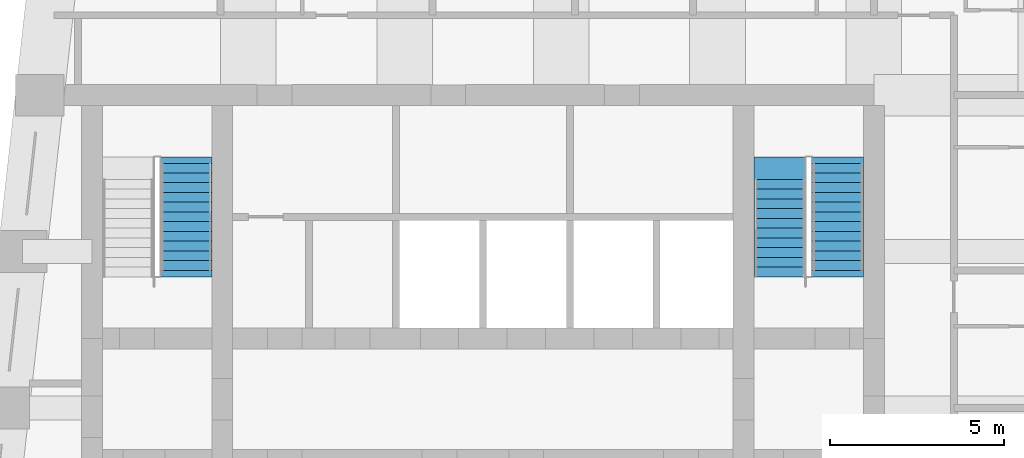
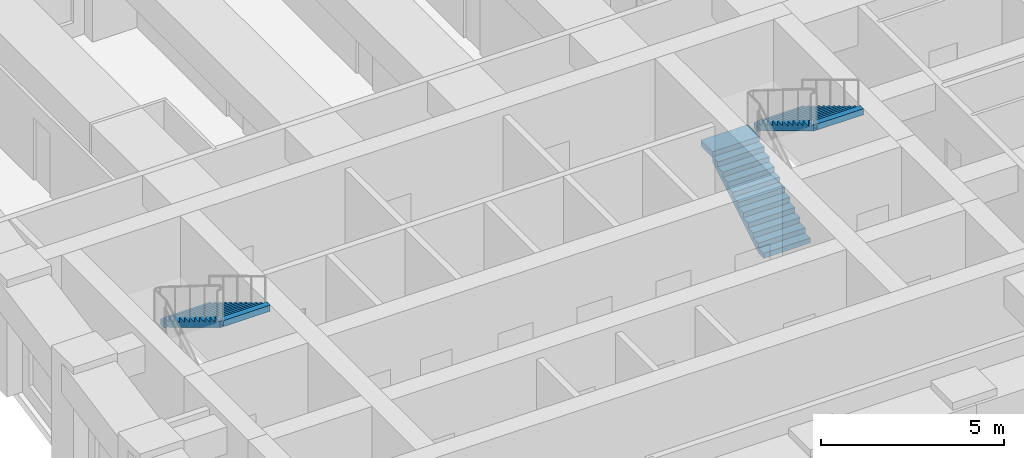
# One storey, part 6 of 7: 3 stair flights, 2 elements without a shape of their own.
"""IFC4 building model written with IfcOpenShell, lengths in metres."""

import ifcopenshell
import ifcopenshell.guid

model = None  # the IFC model being written
_history = None  # IfcOwnerHistory: only IFC2X3 demands one
_inside = {}  # id of a spatial element -> (the spatial element, [elements in it])
_under = {}  # id of a project, library or spatial element -> (it, [spatial elements below it])
_declared = {}  # id of a project -> (the project, [libraries it declares])
_typed = {}  # id of a type object -> (the type object, [elements of that type])
_made_of = {}  # id of a material, layer set ... -> (it, [elements and type objects made of it])


def new_model(schema):
    """Start an empty IFC model of exactly this schema.

    Asked for "IFC4X3", IfcOpenShell would pick the latest addendum, in which some entities
    have other attributes; the version numbers below select the first issue.
    IFC2X3 requires an IfcOwnerHistory on every rooted entity: one is made here for all.
    """
    global model, _history
    if schema == "IFC4X3":
        model = ifcopenshell.file(schema_version=(4, 3, 0, 0))
    else:
        model = ifcopenshell.file(schema=schema)
    _inside.clear()
    _under.clear()
    _declared.clear()
    _typed.clear()
    _made_of.clear()
    _history = None
    if model.schema == "IFC2X3":
        org = make("IfcOrganization", Name="unknown")
        user = make(
            "IfcPersonAndOrganization",
            ThePerson=make("IfcPerson", FamilyName="unknown"),
            TheOrganization=org,
        )
        app = make(
            "IfcApplication",
            ApplicationDeveloper=org,
            Version="unknown",
            ApplicationFullName="unknown",
            ApplicationIdentifier="unknown",
        )
        _history = make(
            "IfcOwnerHistory",
            OwningUser=user,
            OwningApplication=app,
            ChangeAction="ADDED",
            CreationDate=0,
        )
    return model


def make(cls, **values):
    """One entity of the class cls with the attributes given. An attribute that is None is left unset."""
    return model.create_entity(
        cls, **{name: value for name, value in values.items() if value is not None}
    )


def rooted(cls, **values):
    """An entity with a GlobalId (a new one), such as an element, a storey or a relation."""
    return make(cls, GlobalId=ifcopenshell.guid.new(), OwnerHistory=_history, **values)


def si_unit(unit_type, name, prefix=None):
    """IfcSIUnit, for example si_unit("LENGTHUNIT", "METRE", prefix="MILLI")."""
    return make("IfcSIUnit", UnitType=unit_type, Prefix=prefix, Name=name)


def assignment(units):
    """IfcUnitAssignment: the units of a project."""
    return None if units is None else make("IfcUnitAssignment", Units=units)


def point(xyz):
    """IfcCartesianPoint."""
    return None if xyz is None else make("IfcCartesianPoint", Coordinates=xyz)


def direction(xyz):
    """IfcDirection."""
    return None if xyz is None else make("IfcDirection", DirectionRatios=xyz)


def frame(location, z_axis=None, x_axis=None):
    """IfcAxis2Placement3D, a coordinate frame: its origin and axes. An axis left out is left unset."""
    return make(
        "IfcAxis2Placement3D",
        Location=point(location),
        Axis=direction(z_axis),
        RefDirection=direction(x_axis),
    )


def origin():
    """The frame at (0, 0, 0) with its axes left unset."""
    return frame((0.0, 0.0, 0.0))


def place(relative_to, where):
    """IfcLocalPlacement: puts the frame where relative to a parent placement (None: the world)."""
    return make(
        "IfcLocalPlacement", PlacementRelTo=relative_to, RelativePlacement=where
    )


def context(
    kind, dimensions, precision=None, world=None, true_north=None, identifier=None
):
    """IfcGeometricRepresentationContext, for example the 3D "Model" context."""
    return make(
        "IfcGeometricRepresentationContext",
        ContextIdentifier=identifier,
        ContextType=kind,
        CoordinateSpaceDimension=dimensions,
        Precision=precision,
        WorldCoordinateSystem=world,
        TrueNorth=true_north,
    )


def subcontext(parent, identifier, kind, view, scale=None):
    """IfcGeometricRepresentationSubContext, for example "Body" below "Model"."""
    return make(
        "IfcGeometricRepresentationSubContext",
        ContextIdentifier=identifier,
        ContextType=kind,
        ParentContext=parent,
        TargetScale=scale,
        TargetView=view,
    )


def project(units=None, contexts=None):
    """IfcProject with its units and contexts."""
    return rooted(
        "IfcProject",
        Name="project",
        RepresentationContexts=contexts,
        UnitsInContext=assignment(units),
    )


def spatial(cls, under=None, at=None, **own):
    """A site, building, storey or space (cls), placed at a placement, below another one or the project."""
    s = rooted(cls, ObjectPlacement=at, **own)
    if under is not None:
        _under.setdefault(under.id(), (under, []))[1].append(s)
    return s


def polyline(points):
    """IfcPolyline through the points."""
    return make("IfcPolyline", Points=[point(p) for p in points])


def outline(outer, holes=None, kind="AREA"):
    """IfcArbitraryClosedProfileDef: a profile drawn as a closed curve; with holes, ...WithVoids."""
    if holes is None:
        return make("IfcArbitraryClosedProfileDef", ProfileType=kind, OuterCurve=outer)
    return make(
        "IfcArbitraryProfileDefWithVoids",
        ProfileType=kind,
        OuterCurve=outer,
        InnerCurves=holes,
    )


def extrude(swept, where, along, depth):
    """IfcExtrudedAreaSolid: the profile swept, set in the frame where, extruded along a direction by depth."""
    return make(
        "IfcExtrudedAreaSolid",
        SweptArea=swept,
        Position=where,
        ExtrudedDirection=direction(along),
        Depth=depth,
    )


def shape(context_of_items, identifier, shape_type, items):
    """IfcShapeRepresentation: the items that make up one representation, for example the "Body"."""
    return make(
        "IfcShapeRepresentation",
        ContextOfItems=context_of_items,
        RepresentationIdentifier=identifier,
        RepresentationType=shape_type,
        Items=items,
    )


def material(Name=None, Category=None):
    """IfcMaterial."""
    return make("IfcMaterial", Name=Name, Category=Category)


def made_of(thing, what):
    """Note that an element or type object is made of a material, layer set ...; save() writes the relation."""
    if what is not None:
        _made_of.setdefault(what.id(), (what, []))[1].append(thing)
    return thing


def type_object(cls, material=None, **own):
    """A type object (cls), such as IfcWallType, which elements share."""
    return made_of(rooted(cls, **own), material)


def element(
    cls,
    number,
    at=None,
    inside=None,
    cuts=None,
    type_object=None,
    material=None,
    context=None,
    identifier="Body",
    shape_type=None,
    held_by="IfcProductDefinitionShape",
    body=None,
    shapes=None,
    **own,
):
    """One element of the class cls, such as IfcWall. Its Tag is "e" and its number.

    at: its placement. inside: the storey or other place that contains it. cuts: it is an
    opening in that element (IfcRelVoidsElement). A single representation is given by context,
    identifier, shape_type and body (its items); several are given by shapes. held_by: the class
    of the entity that holds the representations. save() writes the other relations.
    """
    e = rooted(cls, Tag="e%d" % number, ObjectPlacement=at, **own)
    if body is not None:
        shapes = [shape(context, identifier, shape_type, body)]
    if shapes is not None:
        e.Representation = make(held_by, Representations=shapes)
    if inside is not None:
        _inside.setdefault(inside.id(), (inside, []))[1].append(e)
    if cuts is not None:
        rooted(
            "IfcRelVoidsElement", RelatingBuildingElement=cuts, RelatedOpeningElement=e
        )
    if type_object is not None:
        _typed.setdefault(type_object.id(), (type_object, []))[1].append(e)
    return made_of(e, material)


def aggregate(whole, parts):
    """IfcRelAggregates: a whole, such as a stair, and the parts it consists of."""
    return rooted("IfcRelAggregates", RelatingObject=whole, RelatedObjects=parts)


def save(model, path):
    """Write the relations noted so far, then the file.

    IfcRelAggregates (storeys below a building ...), IfcRelContainedInSpatialStructure (elements
    in a storey), IfcRelDefinesByType, IfcRelAssociatesMaterial and IfcRelDeclares: one each for
    every whole, place, type object, material and project.
    """
    for whole, parts in _under.values():
        aggregate(whole, parts)
    for where, things in _inside.values():
        rooted(
            "IfcRelContainedInSpatialStructure",
            RelatedElements=things,
            RelatingStructure=where,
        )
    for kind, things in _typed.values():
        rooted("IfcRelDefinesByType", RelatedObjects=things, RelatingType=kind)
    for what, things in _made_of.values():
        rooted("IfcRelAssociatesMaterial", RelatedObjects=things, RelatingMaterial=what)
    for by, libraries in _declared.values():
        rooted("IfcRelDeclares", RelatingContext=by, RelatedDefinitions=libraries)
    model.write(path)


model = new_model("IFC4")

# Units and contexts
model_context = context("Model", 3, precision=1e-05, world=origin(), true_north=direction((0.0, 1.0)))
body_context = subcontext(model_context, "Body", "Model", "MODEL_VIEW")
ifc_project = project(units=[si_unit("LENGTHUNIT", "METRE"), si_unit("AREAUNIT", "SQUARE_METRE"), si_unit("VOLUMEUNIT", "CUBIC_METRE"), si_unit("PLANEANGLEUNIT", "RADIAN"), si_unit("MASSUNIT", "GRAM", prefix="KILO")], contexts=[model_context])

# Site, building, storey
site_placement = place(None, origin())
site = spatial("IfcSite", under=ifc_project, at=site_placement, CompositionType="ELEMENT")
building_placement = place(site_placement, origin())
building = spatial("IfcBuilding", under=site, at=building_placement, Name="Kilele Tower Hotel", CompositionType="ELEMENT")
storey_placement = place(building_placement, frame((0.0, 0.0, 274.10009765625)))
storey = spatial("IfcBuildingStorey", under=building, at=storey_placement, Name="L70", CompositionType="ELEMENT", Elevation=274.10009765625)

# Stair, stair flight
ifc_material_1 = material(Name="Precast concrete C40/50", Category="concrete")
stair_type = type_object("IfcStairType", Name="Stair 1475 x 3900", PredefinedType="HALF_TURN_STAIR", material=ifc_material_1)
stair_1_placement = place(storey_placement, origin())
stair_1 = element("IfcStair", 1, at=stair_1_placement, inside=storey, type_object=stair_type, Name="Stair 1 L70", PredefinedType="HALF_TURN_STAIR")
ifc_material_2 = material(Name="Precast concrete C40/50", Category="concrete")
stair_flight_type = type_object("IfcStairFlightType", Name="Flight 1475 riser 169.6", PredefinedType="STRAIGHT", material=ifc_material_2)
stair_flight_1_placement = place(storey_placement, frame((16.21240234375, 25.0400390625, 1.865234375), z_axis=(0.0, 0.0, 1.0), x_axis=(0.0, -1.0, 0.0)))
stair_flight_1 = element("IfcStairFlight", 2, at=stair_flight_1_placement, type_object=stair_flight_type, Name="ST1 flight 2", NumberOfRisers=12, NumberOfTreads=11, PredefinedType="STRAIGHT", RiserHeight=0.169565217, TreadLength=0.28, context=body_context, shape_type="SweptSolid", body=[
    extrude(outline(polyline([(0.0, 0.0), (0.0, 0.169677734375), (0.280029296875, 0.169677734375), (0.280029296875, 0.339111328125), (0.56005859375, 0.339111328125), (0.56005859375, 0.5087890625), (0.840087890625, 0.5087890625), (0.840087890625, 0.67822265625), (1.1201171875, 0.67822265625), (1.1201171875, 0.847900390625), (1.39990234375, 0.847900390625), (1.39990234375, 1.017333984375), (1.679931640625, 1.017333984375), (1.679931640625, 1.18701171875), (1.9599609375, 1.18701171875), (1.9599609375, 1.3564453125), (2.239990234375, 1.3564453125), (2.239990234375, 1.526123046875), (2.52001953125, 1.526123046875), (2.52001953125, 1.695556640625), (2.800048828125, 1.695556640625), (2.800048828125, 1.865234375), (3.080078125, 1.865234375), (3.080078125, 2.03466796875), (3.080078125, 1.68994140625), (0.289306640625, 0.0), (0.0, 0.0)])), frame((0.0, 0.737548828125, 0.0), z_axis=(0.0, -1.0, 0.0), x_axis=(1.0, 0.0, 0.0)), (0.0, 0.0, 1.0), 1.47509765625),
    extrude(outline(polyline([(0.0, -0.7373046875), (0.0, 0.737548828125), (-0.18505859375, 0.737548828125), (-0.18505859375, -0.7373046875), (0.0, -0.7373046875)])), frame((0.0, 0.0, -0.2001953125)), (0.0, 0.0, 1.0), 0.199951171875),
    extrude(outline(polyline([(3.26513671875, -0.7373046875), (3.26513671875, 0.737548828125), (3.080078125, 0.737548828125), (3.080078125, -0.7373046875), (3.26513671875, -0.7373046875)])), frame((0.0, 0.0, 1.834716796875)), (0.0, 0.0, 1.0), 0.199951171875),
])
aggregate(stair_1, [stair_flight_1])

# Stair, stair flights
stair_2_placement = place(storey_placement, origin())
stair_2 = element("IfcStair", 3, at=stair_2_placement, inside=storey, type_object=stair_type, Name="Stair 2 L70", PredefinedType="HALF_TURN_STAIR")
stair_flight_2_placement = place(storey_placement, frame((33.28759765625, 21.77490234375, 0.0), z_axis=(0.0, 0.0, 1.0), x_axis=(0.0, 1.0, 0.0)))
stair_flight_2 = element("IfcStairFlight", 4, at=stair_flight_2_placement, type_object=stair_flight_type, Name="ST2 flight 1", NumberOfRisers=11, NumberOfTreads=10, PredefinedType="STRAIGHT", RiserHeight=0.169565217, TreadLength=0.28, context=body_context, shape_type="SweptSolid", body=[
    extrude(outline(polyline([(0.0, 0.0), (0.0, 0.169677734375), (0.280029296875, 0.169677734375), (0.280029296875, 0.339111328125), (0.56005859375, 0.339111328125), (0.56005859375, 0.5087890625), (0.840087890625, 0.5087890625), (0.840087890625, 0.67822265625), (1.1201171875, 0.67822265625), (1.1201171875, 0.847900390625), (1.39990234375, 0.847900390625), (1.39990234375, 1.017333984375), (1.679931640625, 1.017333984375), (1.679931640625, 1.18701171875), (1.9599609375, 1.18701171875), (1.9599609375, 1.3564453125), (2.239990234375, 1.3564453125), (2.239990234375, 1.526123046875), (2.52001953125, 1.526123046875), (2.52001953125, 1.695556640625), (2.800048828125, 1.695556640625), (2.800048828125, 1.865234375), (2.800048828125, 1.5205078125), (0.289306640625, 0.0), (0.0, 0.0)])), frame((0.0, 0.737548828125, 0.0), z_axis=(0.0, -1.0, 0.0), x_axis=(1.0, 0.0, 0.0)), (0.0, 0.0, 1.0), 1.47509765625),
    extrude(outline(polyline([(2.800048828125, 0.737548828125), (2.800048828125, -0.7373046875), (3.4501953125, -0.7373046875), (3.4501953125, 0.737548828125), (2.800048828125, 0.737548828125)])), frame((0.0, 0.0, 1.6650390625)), (0.0, 0.0, 1.0), 0.199951171875),
])
stair_flight_3_placement = place(storey_placement, frame((34.96240234375, 25.0400390625, 1.865234375), z_axis=(0.0, 0.0, 1.0), x_axis=(0.0, -1.0, 0.0)))
stair_flight_3 = element("IfcStairFlight", 5, at=stair_flight_3_placement, type_object=stair_flight_type, Name="ST2 flight 2", NumberOfRisers=12, NumberOfTreads=11, PredefinedType="STRAIGHT", RiserHeight=0.169565217, TreadLength=0.28, context=body_context, shape_type="SweptSolid", body=[
    extrude(outline(polyline([(0.0, 0.0), (0.0, 0.169677734375), (0.280029296875, 0.169677734375), (0.280029296875, 0.339111328125), (0.56005859375, 0.339111328125), (0.56005859375, 0.5087890625), (0.840087890625, 0.5087890625), (0.840087890625, 0.67822265625), (1.1201171875, 0.67822265625), (1.1201171875, 0.847900390625), (1.39990234375, 0.847900390625), (1.39990234375, 1.017333984375), (1.679931640625, 1.017333984375), (1.679931640625, 1.18701171875), (1.9599609375, 1.18701171875), (1.9599609375, 1.3564453125), (2.239990234375, 1.3564453125), (2.239990234375, 1.526123046875), (2.52001953125, 1.526123046875), (2.52001953125, 1.695556640625), (2.800048828125, 1.695556640625), (2.800048828125, 1.865234375), (3.080078125, 1.865234375), (3.080078125, 2.03466796875), (3.080078125, 1.68994140625), (0.289306640625, 0.0), (0.0, 0.0)])), frame((0.0, 0.737548828125, 0.0), z_axis=(0.0, -1.0, 0.0), x_axis=(1.0, 0.0, 0.0)), (0.0, 0.0, 1.0), 1.47509765625),
    extrude(outline(polyline([(0.0, -0.7373046875), (0.0, 0.737548828125), (-0.18505859375, 0.737548828125), (-0.18505859375, -0.7373046875), (0.0, -0.7373046875)])), frame((0.0, 0.0, -0.2001953125)), (0.0, 0.0, 1.0), 0.199951171875),
    extrude(outline(polyline([(3.26513671875, -0.7373046875), (3.26513671875, 0.737548828125), (3.080078125, 0.737548828125), (3.080078125, -0.7373046875), (3.26513671875, -0.7373046875)])), frame((0.0, 0.0, 1.834716796875)), (0.0, 0.0, 1.0), 0.199951171875),
])
aggregate(stair_2, [stair_flight_2, stair_flight_3])

save(model, "model.ifc")
